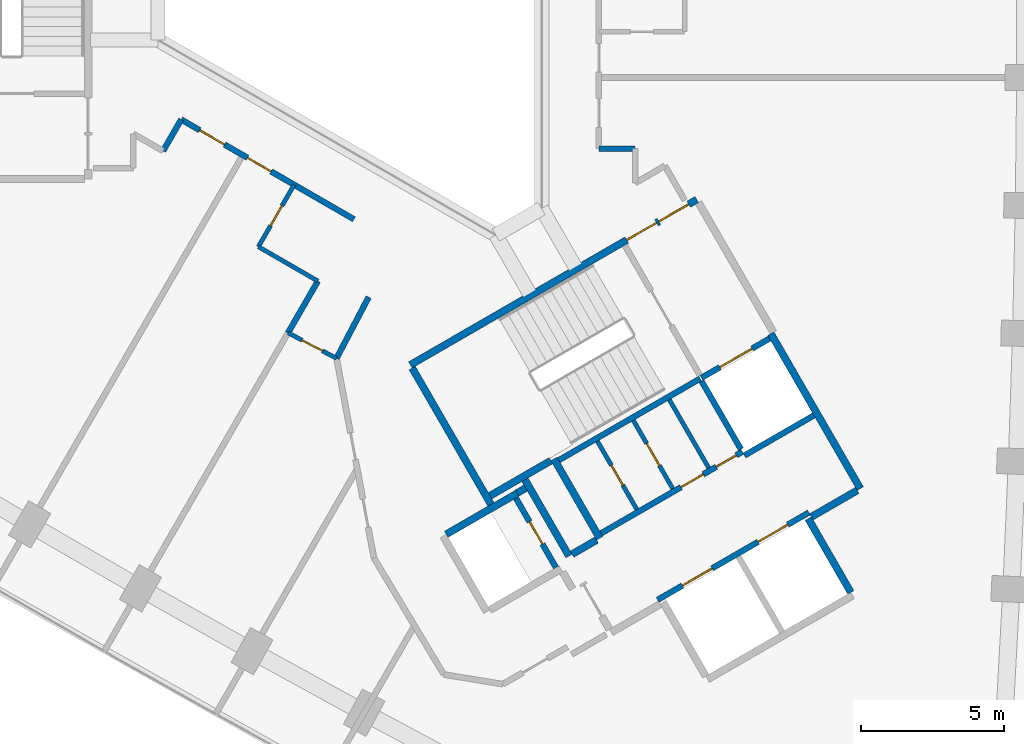
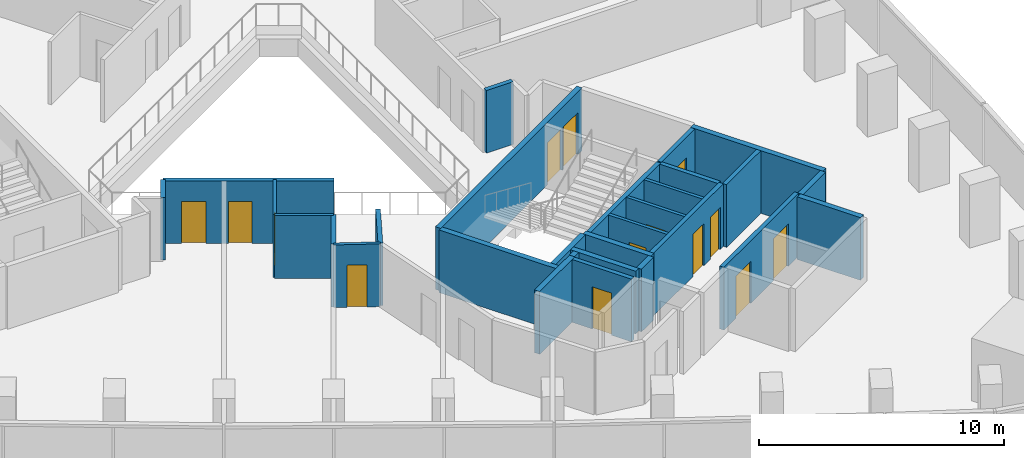
# One storey, part 9 of 13: 29 walls, 14 doors, 14 openings.
"""IFC4 building model written with IfcOpenShell, lengths in metres."""

from ifc_helpers import new_model, si_unit, direction, frame, frame_2d, origin, place, context, subcontext, project, spatial, rectangle, extrude, material, layer, layer_set, type_object, element, fill, save


model = new_model("IFC4")

# Units and contexts
model_context = context("Model", 3, precision=1e-05, world=origin(), true_north=direction((0.0, 1.0)))
body_context = subcontext(model_context, "Body", "Model", "MODEL_VIEW")
ifc_project = project(units=[si_unit("LENGTHUNIT", "METRE"), si_unit("AREAUNIT", "SQUARE_METRE"), si_unit("VOLUMEUNIT", "CUBIC_METRE"), si_unit("PLANEANGLEUNIT", "RADIAN"), si_unit("MASSUNIT", "GRAM", prefix="KILO")], contexts=[model_context])

# Site, building, storey
site_placement = place(None, origin())
site = spatial("IfcSite", under=ifc_project, at=site_placement, CompositionType="ELEMENT")
building_placement = place(site_placement, origin())
building = spatial("IfcBuilding", under=site, at=building_placement, Name="Tamra Quay Hotel Tower", CompositionType="ELEMENT")
storey_placement = place(building_placement, frame((0.0, 0.0, 49.39990234375)))
storey = spatial("IfcBuildingStorey", under=building, at=storey_placement, Name="L10", CompositionType="ELEMENT", Elevation=49.39990234375)

# Wall, openings, doors
ifc_material_1 = material(Name="Concrete M70", Category="concrete")
ifc_layer_1 = layer(ifc_material_1, 0.199951171875)
ifc_layer_set_1 = layer_set([ifc_layer_1], Name="Concrete M70 core wall 200")
wall_type_1 = type_object("IfcWallType", Name="Concrete M70 core wall 200", PredefinedType="SHEAR", material=ifc_layer_set_1)
wall_1_placement = place(storey_placement, frame((9.052490234375, -20.479736328125, 0.0), z_axis=(0.0, 0.0, 1.0), x_axis=(0.866030299012, 0.499991521122, 0.0)))
wall_1 = element("IfcWall", 1, at=wall_1_placement, inside=storey, type_object=wall_type_1, Name="CW2", PredefinedType="SHEAR", context=body_context, shape_type="SweptSolid", body=[
    extrude(rectangle(XDim=6.10009765625, YDim=0.199951171875, at=frame_2d((3.050048828125, 0.0))), origin(), (0.0, 0.0, 1.0), 3.125),
])
opening_1_placement = place(wall_1_placement, frame((1.0, 0.0, 0.0)))
opening_1 = element("IfcOpeningElement", 2, at=opening_1_placement, cuts=wall_1, Name="Opening LD", PredefinedType="OPENING", context=body_context, shape_type="SweptSolid", body=[
    extrude(rectangle(XDim=1.199951171875, YDim=2.10009765625, at=frame_2d((0.60009765625, 1.050048828125))), frame((0.0, 0.10986328125, 0.0), z_axis=(0.0, -1.0, 0.0), x_axis=(1.0, 0.0, 0.0)), (0.0, 0.0, 1.0), 0.219970703125),
])
opening_2_placement = place(wall_1_placement, frame((4.05029296875, 0.0, 0.0)))
opening_2 = element("IfcOpeningElement", 3, at=opening_2_placement, cuts=wall_1, Name="Opening LD", PredefinedType="OPENING", context=body_context, shape_type="SweptSolid", body=[
    extrude(rectangle(XDim=1.199951171875, YDim=2.10009765625, at=frame_2d((0.60009765625, 1.050048828125))), frame((0.0, 0.10986328125, 0.0), z_axis=(0.0, -1.0, 0.0), x_axis=(1.0, 0.0, 0.0)), (0.0, 0.0, 1.0), 0.219970703125),
])
ifc_material_2 = material(Name="Landing door LD 1200 double door sliding")
door_type_1 = type_object("IfcDoorType", Name="Landing door LD 1200 double door sliding", OperationType="DOUBLE_DOOR_SLIDING", PredefinedType="DOOR", material=ifc_material_2)
door_1_placement = place(opening_1_placement, origin())
door_1 = element("IfcDoor", 4, at=door_1_placement, inside=storey, type_object=door_type_1, Name="LD", OperationType="DOUBLE_DOOR_SLIDING", OverallHeight=2.10009765625, OverallWidth=1.199951171875, PredefinedType="DOOR", context=body_context, shape_type="SweptSolid", body=[
    extrude(rectangle(XDim=1.199951171875, YDim=2.10009765625, at=frame_2d((0.60009765625, 1.050048828125))), frame((0.0, 0.02490234375, 0.0), z_axis=(0.0, -1.0, 0.0), x_axis=(1.0, 0.0, 0.0)), (0.0, 0.0, 1.0), 0.050048828125),
])
fill(opening_1, door_1)
door_2_placement = place(opening_2_placement, origin())
door_2 = element("IfcDoor", 5, at=door_2_placement, inside=storey, type_object=door_type_1, Name="LD", OperationType="DOUBLE_DOOR_SLIDING", OverallHeight=2.10009765625, OverallWidth=1.199951171875, PredefinedType="DOOR", context=body_context, shape_type="SweptSolid", body=[
    extrude(rectangle(XDim=1.199951171875, YDim=2.10009765625, at=frame_2d((0.60009765625, 1.050048828125))), frame((0.0, 0.02490234375, 0.0), z_axis=(0.0, -1.0, 0.0), x_axis=(1.0, 0.0, 0.0)), (0.0, 0.0, 1.0), 0.050048828125),
])
fill(opening_2, door_2)

# Wall
wall_2_placement = place(storey_placement, frame((10.537841796875, -12.751953125, 0.0), z_axis=(0.0, 0.0, 1.0), x_axis=(-0.866038630372, -0.499977090179, 0.0)))
element("IfcWall", 6, at=wall_2_placement, inside=storey, type_object=wall_type_1, Name="CW2", PredefinedType="SHEAR", context=body_context, shape_type="SweptSolid", body=[
    extrude(rectangle(XDim=5.698974609375, YDim=0.199951171875, at=frame_2d((2.849609375, 0.0))), origin(), (0.0, 0.0, 1.0), 3.125),
])

# Wall, openings, doors
wall_3_placement = place(storey_placement, frame((7.0771484375, -18.156005859375, 0.0), z_axis=(0.0, 0.0, 1.0), x_axis=(0.866038630372, 0.499977090179, 0.0)))
wall_3 = element("IfcWall", 7, at=wall_3_placement, inside=storey, type_object=wall_type_1, Name="CW2", PredefinedType="SHEAR", context=body_context, shape_type="SweptSolid", body=[
    extrude(rectangle(XDim=5.698974609375, YDim=0.199951171875, at=frame_2d((2.849609375, 0.0))), origin(), (0.0, 0.0, 1.0), 3.125),
])
opening_3_placement = place(wall_3_placement, frame((3.22412109375, 0.0, 0.0)))
opening_3 = element("IfcOpeningElement", 8, at=opening_3_placement, cuts=wall_3, Name="Opening D2", PredefinedType="OPENING", context=body_context, shape_type="SweptSolid", body=[
    extrude(rectangle(XDim=0.89990234375, YDim=2.10009765625, at=frame_2d((0.449951171875, 1.050048828125))), frame((0.0, 0.10986328125, 0.0), z_axis=(0.0, -1.0, 0.0), x_axis=(1.0, 0.0, 0.0)), (0.0, 0.0, 1.0), 0.219970703125),
])
opening_4_placement = place(wall_3_placement, frame((4.64892578125, 0.0, 0.0)))
opening_4 = element("IfcOpeningElement", 9, at=opening_4_placement, cuts=wall_3, Name="Opening D3", PredefinedType="OPENING", context=body_context, shape_type="SweptSolid", body=[
    extrude(rectangle(XDim=0.800048828125, YDim=2.10009765625, at=frame_2d((0.39990234375, 1.050048828125))), frame((0.0, 0.10986328125, 0.0), z_axis=(0.0, -1.0, 0.0), x_axis=(1.0, 0.0, 0.0)), (0.0, 0.0, 1.0), 0.219970703125),
])
ifc_material_3 = material(Name="Core door D2 900x2100 RH")
door_type_2 = type_object("IfcDoorType", Name="Core door D2 900x2100 RH", OperationType="NOTDEFINED", PredefinedType="DOOR", material=ifc_material_3)
door_3_placement = place(opening_3_placement, origin())
door_3 = element("IfcDoor", 10, at=door_3_placement, inside=storey, type_object=door_type_2, Name="D2", OperationType="SINGLE_SWING_RIGHT", OverallHeight=2.10009765625, OverallWidth=0.89990234375, PredefinedType="DOOR", context=body_context, shape_type="SweptSolid", body=[
    extrude(rectangle(XDim=0.89990234375, YDim=2.10009765625, at=frame_2d((0.449951171875, 1.050048828125))), frame((0.0, 0.02490234375, 0.0), z_axis=(0.0, -1.0, 0.0), x_axis=(1.0, 0.0, 0.0)), (0.0, 0.0, 1.0), 0.050048828125),
])
fill(opening_3, door_3)
ifc_material_4 = material(Name="Core door D3 800x2100 LH")
door_type_3 = type_object("IfcDoorType", Name="Core door D3 800x2100 LH", OperationType="NOTDEFINED", PredefinedType="DOOR", material=ifc_material_4)
door_4_placement = place(opening_4_placement, origin())
door_4 = element("IfcDoor", 11, at=door_4_placement, inside=storey, type_object=door_type_3, Name="D3", OperationType="SINGLE_SWING_LEFT", OverallHeight=2.10009765625, OverallWidth=0.800048828125, PredefinedType="DOOR", context=body_context, shape_type="SweptSolid", body=[
    extrude(rectangle(XDim=0.800048828125, YDim=2.10009765625, at=frame_2d((0.39990234375, 1.050048828125))), frame((0.0, 0.02490234375, 0.0), z_axis=(0.0, -1.0, 0.0), x_axis=(1.0, 0.0, 0.0)), (0.0, 0.0, 1.0), 0.050048828125),
])
fill(opening_4, door_4)

# Wall, opening, door
wall_4_placement = place(storey_placement, frame((5.50341796875, -19.352294921875, 0.0), z_axis=(0.0, 0.0, 1.0), x_axis=(-0.499986818241, 0.866033014143, 0.0)))
wall_4 = element("IfcWall", 12, at=wall_4_placement, inside=storey, type_object=wall_type_1, Name="CW2", PredefinedType="SHEAR", context=body_context, shape_type="SweptSolid", body=[
    extrude(rectangle(XDim=2.7978515625, YDim=0.199951171875, at=frame_2d((1.39892578125, 0.0))), origin(), (0.0, 0.0, 1.0), 3.125),
])
opening_5_placement = place(wall_4_placement, frame((0.948974609375, 0.0, 0.0)))
opening_5 = element("IfcOpeningElement", 13, at=opening_5_placement, cuts=wall_4, Name="Opening D1", PredefinedType="OPENING", context=body_context, shape_type="SweptSolid", body=[
    extrude(rectangle(XDim=0.89990234375, YDim=2.10009765625, at=frame_2d((0.449951171875, 1.050048828125))), frame((0.0, 0.10986328125, 0.0), z_axis=(0.0, -1.0, 0.0), x_axis=(1.0, 0.0, 0.0)), (0.0, 0.0, 1.0), 0.219970703125),
])
ifc_material_5 = material(Name="Core door D1 900x2100 RH")
door_type_4 = type_object("IfcDoorType", Name="Core door D1 900x2100 RH", OperationType="NOTDEFINED", PredefinedType="DOOR", material=ifc_material_5)
door_5_placement = place(opening_5_placement, origin())
door_5 = element("IfcDoor", 14, at=door_5_placement, inside=storey, type_object=door_type_4, Name="D1", OperationType="SINGLE_SWING_RIGHT", OverallHeight=2.10009765625, OverallWidth=0.89990234375, PredefinedType="DOOR", context=body_context, shape_type="SweptSolid", body=[
    extrude(rectangle(XDim=0.89990234375, YDim=2.10009765625, at=frame_2d((0.449951171875, 1.050048828125))), frame((0.0, 0.02490234375, 0.0), z_axis=(0.0, -1.0, 0.0), x_axis=(1.0, 0.0, 0.0)), (0.0, 0.0, 1.0), 0.050048828125),
])
fill(opening_5, door_5)

# Wall
wall_5_placement = place(storey_placement, frame((11.962646484375, -15.219970703125, 0.0), z_axis=(0.0, 0.0, 1.0), x_axis=(-0.500034990121, 0.866005201286, 0.0)))
element("IfcWall", 15, at=wall_5_placement, inside=storey, type_object=wall_type_1, Name="CW2", PredefinedType="SHEAR", context=body_context, shape_type="SweptSolid", body=[
    extrude(rectangle(XDim=2.749755859375, YDim=0.199951171875, at=frame_2d((1.375, 0.0))), origin(), (0.0, 0.0, 1.0), 3.125),
])

# Wall, opening, door
wall_6_placement = place(storey_placement, frame((10.587158203125, -12.72314453125, 0.0), z_axis=(0.0, 0.0, 1.0), x_axis=(0.866037306777, 0.499979382845, 0.0)))
wall_6 = element("IfcWall", 16, at=wall_6_placement, inside=storey, type_object=wall_type_1, Name="CW2", PredefinedType="SHEAR", context=body_context, shape_type="SweptSolid", body=[
    extrude(rectangle(XDim=2.74169921875, YDim=0.199951171875, at=frame_2d((1.370849609375, 0.0))), origin(), (0.0, 0.0, 1.0), 3.125),
])
opening_6_placement = place(wall_6_placement, frame((0.742919921875, 0.0, 0.0)))
opening_6 = element("IfcOpeningElement", 17, at=opening_6_placement, cuts=wall_6, Name="Opening LD", PredefinedType="OPENING", context=body_context, shape_type="SweptSolid", body=[
    extrude(rectangle(XDim=1.300048828125, YDim=2.10009765625, at=frame_2d((0.64990234375, 1.050048828125))), frame((0.0, 0.10986328125, 0.0), z_axis=(0.0, -1.0, 0.0), x_axis=(1.0, 0.0, 0.0)), (0.0, 0.0, 1.0), 0.219970703125),
])
ifc_material_6 = material(Name="Landing door LD 1300 sliding to left")
door_type_5 = type_object("IfcDoorType", Name="Landing door LD 1300 sliding to left", OperationType="NOTDEFINED", PredefinedType="DOOR", material=ifc_material_6)
door_6_placement = place(opening_6_placement, origin())
door_6 = element("IfcDoor", 18, at=door_6_placement, inside=storey, type_object=door_type_5, Name="LD", OperationType="SLIDING_TO_LEFT", OverallHeight=2.10009765625, OverallWidth=1.300048828125, PredefinedType="DOOR", context=body_context, shape_type="SweptSolid", body=[
    extrude(rectangle(XDim=1.300048828125, YDim=2.10009765625, at=frame_2d((0.64990234375, 1.050048828125))), frame((0.0, 0.02490234375, 0.0), z_axis=(0.0, -1.0, 0.0), x_axis=(1.0, 0.0, 0.0)), (0.0, 0.0, 1.0), 0.050048828125),
])
fill(opening_6, door_6)

# Wall
wall_7_placement = place(storey_placement, frame((14.51171875, -14.037109375, 0.0), z_axis=(0.0, 0.0, 1.0), x_axis=(-0.866044696403, -0.499966582715, 0.0)))
element("IfcWall", 19, at=wall_7_placement, inside=storey, type_object=wall_type_1, Name="CW2", PredefinedType="SHEAR", context=body_context, shape_type="SweptSolid", body=[
    extrude(rectangle(XDim=2.799072265625, YDim=0.199951171875, at=frame_2d((1.3994140625, 0.0))), origin(), (0.0, 0.0, 1.0), 3.125),
])

# Wall, openings, doors
ifc_layer_2 = layer(ifc_material_1, 0.25)
ifc_layer_set_2 = layer_set([ifc_layer_2], Name="Concrete M70 core wall 250")
wall_type_2 = type_object("IfcWallType", Name="Concrete M70 core wall 250", PredefinedType="SHEAR", material=ifc_layer_set_2)
wall_8_placement = place(storey_placement, frame((0.417236328125, -12.27294921875, 0.0), z_axis=(0.0, 0.0, 1.0), x_axis=(0.866021906294, 0.500006057782, 0.0)))
wall_8 = element("IfcWall", 20, at=wall_8_placement, inside=storey, type_object=wall_type_2, Name="CW1", PredefinedType="SHEAR", context=body_context, shape_type="SweptSolid", body=[
    extrude(rectangle(XDim=11.550048828125, YDim=0.25, at=frame_2d((5.77490234375, 0.0))), origin(), (0.0, 0.0, 1.0), 3.125),
])
opening_7_placement = place(wall_8_placement, frame((10.024658203125, 0.0, 0.0)))
opening_7 = element("IfcOpeningElement", 21, at=opening_7_placement, cuts=wall_8, Name="Opening FD1", PredefinedType="OPENING", context=body_context, shape_type="SweptSolid", body=[
    extrude(rectangle(XDim=1.199951171875, YDim=2.10009765625, at=frame_2d((0.60009765625, 1.050048828125))), frame((0.0, 0.135009765625, 0.0), z_axis=(0.0, -1.0, 0.0), x_axis=(1.0, 0.0, 0.0)), (0.0, 0.0, 1.0), 0.27001953125),
])
opening_8_placement = place(wall_8_placement, frame((8.724609375, 0.0, 0.0)))
opening_8 = element("IfcOpeningElement", 22, at=opening_8_placement, cuts=wall_8, Name="Opening FD1", PredefinedType="OPENING", context=body_context, shape_type="SweptSolid", body=[
    extrude(rectangle(XDim=1.199951171875, YDim=2.10009765625, at=frame_2d((0.60009765625, 1.050048828125))), frame((0.0, 0.135009765625, 0.0), z_axis=(0.0, -1.0, 0.0), x_axis=(1.0, 0.0, 0.0)), (0.0, 0.0, 1.0), 0.27001953125),
])
ifc_material_7 = material(Name="Core door FD1 1200x2100 LH")
door_type_6 = type_object("IfcDoorType", Name="Core door FD1 1200x2100 LH", OperationType="NOTDEFINED", PredefinedType="DOOR", material=ifc_material_7)
door_7_placement = place(opening_7_placement, origin())
door_7 = element("IfcDoor", 23, at=door_7_placement, inside=storey, type_object=door_type_6, Name="FD1", OperationType="SINGLE_SWING_LEFT", OverallHeight=2.10009765625, OverallWidth=1.199951171875, PredefinedType="DOOR", context=body_context, shape_type="SweptSolid", body=[
    extrude(rectangle(XDim=1.199951171875, YDim=2.10009765625, at=frame_2d((0.60009765625, 1.050048828125))), frame((0.0, 0.02490234375, 0.0), z_axis=(0.0, -1.0, 0.0), x_axis=(1.0, 0.0, 0.0)), (0.0, 0.0, 1.0), 0.050048828125),
])
fill(opening_7, door_7)
ifc_material_8 = material(Name="Core door FD1 1200x2100 RH")
door_type_7 = type_object("IfcDoorType", Name="Core door FD1 1200x2100 RH", OperationType="NOTDEFINED", PredefinedType="DOOR", material=ifc_material_8)
door_8_placement = place(opening_8_placement, origin())
door_8 = element("IfcDoor", 24, at=door_8_placement, inside=storey, type_object=door_type_7, Name="FD1", OperationType="SINGLE_SWING_RIGHT", OverallHeight=2.10009765625, OverallWidth=1.199951171875, PredefinedType="DOOR", context=body_context, shape_type="SweptSolid", body=[
    extrude(rectangle(XDim=1.199951171875, YDim=2.10009765625, at=frame_2d((0.60009765625, 1.050048828125))), frame((0.0, 0.02490234375, 0.0), z_axis=(0.0, -1.0, 0.0), x_axis=(1.0, 0.0, 0.0)), (0.0, 0.0, 1.0), 0.050048828125),
])
fill(opening_8, door_8)

# Walls
wall_9_placement = place(storey_placement, frame((13.00830078125, -11.18115234375, 0.0), z_axis=(0.0, 0.0, 1.0), x_axis=(0.500004234368, -0.866022959057, 0.0)))
element("IfcWall", 25, at=wall_9_placement, inside=storey, type_object=wall_type_2, Name="CW1", PredefinedType="SHEAR", context=body_context, shape_type="SweptSolid", body=[
    extrude(rectangle(XDim=6.25, YDim=0.25, at=frame_2d((3.125, 0.0))), origin(), (0.0, 0.0, 1.0), 3.125),
])
wall_10_placement = place(storey_placement, frame((3.23486328125, -17.15283203125, 0.0), z_axis=(0.0, 0.0, 1.0), x_axis=(-0.500008851346, 0.866020293397, 0.0)))
element("IfcWall", 26, at=wall_10_placement, inside=storey, type_object=wall_type_2, Name="CW1", PredefinedType="SHEAR", context=body_context, shape_type="SweptSolid", body=[
    extrude(rectangle(XDim=5.509765625, YDim=0.25, at=frame_2d((2.7548828125, 0.0))), origin(), (0.0, 0.0, 1.0), 3.125),
])
wall_11_placement = place(storey_placement, frame((7.030517578125, -18.327392578125, 0.0), z_axis=(0.0, 0.0, 1.0), x_axis=(-0.499971222258, 0.866042017984, 0.0)))
element("IfcWall", 27, at=wall_11_placement, inside=storey, type_object=wall_type_2, Name="CW1", PredefinedType="SHEAR", context=body_context, shape_type="SweptSolid", body=[
    extrude(rectangle(XDim=3.199951171875, YDim=0.25, at=frame_2d((1.60009765625, 0.0))), origin(), (0.0, 0.0, 1.0), 3.125),
])
wall_12_placement = place(storey_placement, frame((14.314697265625, -17.643798828125, 0.0), z_axis=(0.0, 0.0, 1.0), x_axis=(0.500023226632, -0.866011993467, 0.0)))
element("IfcWall", 28, at=wall_12_placement, inside=storey, type_object=wall_type_2, Name="CW1", PredefinedType="SHEAR", context=body_context, shape_type="SweptSolid", body=[
    extrude(rectangle(XDim=2.974365234375, YDim=0.25, at=frame_2d((1.4873046875, 0.0))), origin(), (0.0, 0.0, 1.0), 3.125),
])
wall_13_placement = place(storey_placement, frame((1.6689453125, -18.189697265625, 0.0), z_axis=(0.0, 0.0, 1.0), x_axis=(0.866042235819, 0.499970844928, 0.0)))
element("IfcWall", 29, at=wall_13_placement, inside=storey, type_object=wall_type_2, Name="CW1", PredefinedType="SHEAR", context=body_context, shape_type="SweptSolid", body=[
    extrude(rectangle(XDim=2.864501953125, YDim=0.25, at=frame_2d((1.43212890625, 0.0))), origin(), (0.0, 0.0, 1.0), 3.125),
])
wall_14_placement = place(storey_placement, frame((4.414306640625, -16.275634765625, 0.0), z_axis=(0.0, 0.0, 1.0), x_axis=(0.500003324108, -0.866023484601, 0.0)))
element("IfcWall", 30, at=wall_14_placement, inside=storey, type_object=wall_type_2, Name="CW1", PredefinedType="SHEAR", context=body_context, shape_type="SweptSolid", body=[
    extrude(rectangle(XDim=3.0849609375, YDim=0.25, at=frame_2d((1.54248046875, 0.0))), origin(), (0.0, 0.0, 1.0), 3.125),
])
wall_15_placement = place(storey_placement, frame((5.322021484375, -15.618896484375, 0.0), z_axis=(0.0, 0.0, 1.0), x_axis=(-0.866026229868, -0.499998569178, 0.0)))
element("IfcWall", 31, at=wall_15_placement, inside=storey, type_object=wall_type_2, Name="CW1", PredefinedType="SHEAR", context=body_context, shape_type="SweptSolid", body=[
    extrude(rectangle(XDim=2.44921875, YDim=0.25, at=frame_2d((1.224609375, 0.0))), origin(), (0.0, 0.0, 1.0), 3.125),
])
wall_16_placement = place(storey_placement, frame((16.024658203125, -16.656494140625, 0.0), z_axis=(0.0, 0.0, 1.0), x_axis=(-0.866016279763, -0.500015802937, 0.0)))
element("IfcWall", 32, at=wall_16_placement, inside=storey, type_object=wall_type_2, Name="CW1", PredefinedType="SHEAR", context=body_context, shape_type="SweptSolid", body=[
    extrude(rectangle(XDim=1.84912109375, YDim=0.25, at=frame_2d((0.924560546875, 0.0))), origin(), (0.0, 0.0, 1.0), 3.125),
])
wall_17_placement = place(storey_placement, frame((6.0654296875, -18.884765625, 0.0), z_axis=(0.0, 0.0, 1.0), x_axis=(0.866017078145, 0.500014420154, 0.0)))
element("IfcWall", 33, at=wall_17_placement, inside=storey, type_object=wall_type_2, Name="CW1", PredefinedType="SHEAR", context=body_context, shape_type="SweptSolid", body=[
    extrude(rectangle(XDim=0.9892578125, YDim=0.25, at=frame_2d((0.49462890625, 0.0))), origin(), (0.0, 0.0, 1.0), 3.125),
])
wall_18_placement = place(storey_placement, frame((4.144775390625, -16.748779296875, 0.0), z_axis=(0.0, 0.0, 1.0), x_axis=(0.866185586049, 0.49972245349, 0.0)))
element("IfcWall", 34, at=wall_18_placement, inside=storey, type_object=wall_type_2, Name="CW1", PredefinedType="SHEAR", context=body_context, shape_type="SweptSolid", body=[
    extrude(rectangle(XDim=0.344482421875, YDim=0.25, at=frame_2d((0.17236328125, 0.0))), origin(), (0.0, 0.0, 1.0), 3.125),
])

# Wall, opening, door
ifc_material_9 = material(Name="Blockwork", Category="masonry")
ifc_layer_3 = layer(ifc_material_9, 0.14990234375)
ifc_layer_set_3 = layer_set([ifc_layer_3], Name="Core partition block 150")
wall_type_3 = type_object("IfcWallType", Name="Core partition block 150", PredefinedType="PARTITIONING", material=ifc_layer_set_3)
wall_19_placement = place(storey_placement, frame((8.20654296875, -14.214111328125, 0.0), z_axis=(0.0, 0.0, 1.0), x_axis=(0.50002746344, -0.86600954718, 0.0)))
wall_19 = element("IfcWall", 35, at=wall_19_placement, inside=storey, type_object=wall_type_3, Name="CP1", PredefinedType="PARTITIONING", context=body_context, shape_type="SweptSolid", body=[
    extrude(rectangle(XDim=2.748291015625, YDim=0.14990234375, at=frame_2d((1.3740234375, 0.0))), origin(), (0.0, 0.0, 1.0), 3.125),
])
opening_9_placement = place(wall_19_placement, frame((0.92431640625, 0.0, 0.0)))
opening_9 = element("IfcOpeningElement", 36, at=opening_9_placement, cuts=wall_19, Name="Opening D2", PredefinedType="OPENING", context=body_context, shape_type="SweptSolid", body=[
    extrude(rectangle(XDim=0.89990234375, YDim=2.10009765625, at=frame_2d((0.449951171875, 1.050048828125))), frame((0.0, 0.0849609375, 0.0), z_axis=(0.0, -1.0, 0.0), x_axis=(1.0, 0.0, 0.0)), (0.0, 0.0, 1.0), 0.169921875),
])
ifc_material_10 = material(Name="Core door D2 900x2100 LH")
door_type_8 = type_object("IfcDoorType", Name="Core door D2 900x2100 LH", OperationType="NOTDEFINED", PredefinedType="DOOR", material=ifc_material_10)
door_9_placement = place(opening_9_placement, origin())
door_9 = element("IfcDoor", 37, at=door_9_placement, inside=storey, type_object=door_type_8, Name="D2", OperationType="SINGLE_SWING_LEFT", OverallHeight=2.10009765625, OverallWidth=0.89990234375, PredefinedType="DOOR", context=body_context, shape_type="SweptSolid", body=[
    extrude(rectangle(XDim=0.89990234375, YDim=2.10009765625, at=frame_2d((0.449951171875, 1.050048828125))), frame((0.0, 0.02490234375, 0.0), z_axis=(0.0, -1.0, 0.0), x_axis=(1.0, 0.0, 0.0)), (0.0, 0.0, 1.0), 0.050048828125),
])
fill(opening_9, door_9)

# Wall
wall_20_placement = place(storey_placement, frame((9.46240234375, -13.489013671875, 0.0), z_axis=(0.0, 0.0, 1.0), x_axis=(0.499988999718, -0.866031754707, 0.0)))
element("IfcWall", 38, at=wall_20_placement, inside=storey, type_object=wall_type_3, Name="CP1", PredefinedType="PARTITIONING", context=body_context, shape_type="SweptSolid", body=[
    extrude(rectangle(XDim=2.74853515625, YDim=0.14990234375, at=frame_2d((1.374267578125, 0.0))), origin(), (0.0, 0.0, 1.0), 3.125),
])

# Wall, opening, door
wall_21_placement = place(storey_placement, frame((6.950927734375, -14.93896484375, 0.0), z_axis=(0.0, 0.0, 1.0), x_axis=(0.499988999718, -0.866031754707, 0.0)))
wall_21 = element("IfcWall", 39, at=wall_21_placement, inside=storey, type_object=wall_type_3, Name="CP1", PredefinedType="PARTITIONING", context=body_context, shape_type="SweptSolid", body=[
    extrude(rectangle(XDim=2.74853515625, YDim=0.14990234375, at=frame_2d((1.374267578125, 0.0))), origin(), (0.0, 0.0, 1.0), 3.125),
])
opening_10_placement = place(wall_21_placement, frame((0.97412109375, 0.0, 0.0)))
opening_10 = element("IfcOpeningElement", 40, at=opening_10_placement, cuts=wall_21, Name="Opening D3", PredefinedType="OPENING", context=body_context, shape_type="SweptSolid", body=[
    extrude(rectangle(XDim=0.800048828125, YDim=2.10009765625, at=frame_2d((0.39990234375, 1.050048828125))), frame((0.0, 0.0849609375, 0.0), z_axis=(0.0, -1.0, 0.0), x_axis=(1.0, 0.0, 0.0)), (0.0, 0.0, 1.0), 0.169921875),
])
ifc_material_11 = material(Name="Core door D3 800x2100 RH")
door_type_9 = type_object("IfcDoorType", Name="Core door D3 800x2100 RH", OperationType="NOTDEFINED", PredefinedType="DOOR", material=ifc_material_11)
door_10_placement = place(opening_10_placement, origin())
door_10 = element("IfcDoor", 41, at=door_10_placement, inside=storey, type_object=door_type_9, Name="D3", OperationType="SINGLE_SWING_RIGHT", OverallHeight=2.10009765625, OverallWidth=0.800048828125, PredefinedType="DOOR", context=body_context, shape_type="SweptSolid", body=[
    extrude(rectangle(XDim=0.800048828125, YDim=2.10009765625, at=frame_2d((0.39990234375, 1.050048828125))), frame((0.0, 0.02490234375, 0.0), z_axis=(0.0, -1.0, 0.0), x_axis=(1.0, 0.0, 0.0)), (0.0, 0.0, 1.0), 0.050048828125),
])
fill(opening_10, door_10)

# Wall
ifc_material_12 = material(Name="Partition corridor wall")
ifc_layer_4 = layer(ifc_material_12, 0.199951171875)
ifc_layer_set_4 = layer_set([ifc_layer_4], Name="Partition corridor wall")
wall_type_4 = type_object("IfcWallType", Name="Partition corridor wall", PredefinedType="PARTITIONING", material=ifc_layer_set_4)
wall_22_placement = place(storey_placement, frame((-8.222900390625, -4.800048828125, 0.0), z_axis=(0.0, 0.0, 1.0), x_axis=(0.499866914522, 0.866102227088, 0.0)))
element("IfcWall", 42, at=wall_22_placement, inside=storey, type_object=wall_type_4, Name="W-C", PredefinedType="PARTITIONING", context=body_context, shape_type="SweptSolid", body=[
    extrude(rectangle(XDim=1.267822265625, YDim=0.199951171875, at=frame_2d((0.6337890625, 0.0))), origin(), (0.0, 0.0, 1.0), 3.125),
])

# Wall, openings, doors
wall_23_placement = place(storey_placement, frame((-7.589111328125, -3.701904296875, 0.0), z_axis=(0.0, 0.0, 1.0), x_axis=(0.865994210678, -0.500054024153, 0.0)))
wall_23 = element("IfcWall", 43, at=wall_23_placement, inside=storey, type_object=wall_type_4, Name="W-C", PredefinedType="PARTITIONING", context=body_context, shape_type="SweptSolid", body=[
    extrude(rectangle(XDim=6.968505859375, YDim=0.199951171875, at=frame_2d((3.484375, 0.0))), origin(), (0.0, 0.0, 1.0), 3.125),
])
opening_11_placement = place(wall_23_placement, frame((0.748779296875, 0.0, 0.0)))
opening_11 = element("IfcOpeningElement", 44, at=opening_11_placement, cuts=wall_23, Name="Opening L10-D012", PredefinedType="OPENING", context=body_context, shape_type="SweptSolid", body=[
    extrude(rectangle(XDim=1.0, YDim=2.10009765625, at=frame_2d((0.5, 1.050048828125))), frame((0.0, 0.10986328125, 0.0), z_axis=(0.0, -1.0, 0.0), x_axis=(1.0, 0.0, 0.0)), (0.0, 0.0, 1.0), 0.219970703125),
])
opening_12_placement = place(wall_23_placement, frame((2.67431640625, 0.0, 0.0)))
opening_12 = element("IfcOpeningElement", 45, at=opening_12_placement, cuts=wall_23, Name="Opening L10-D013", PredefinedType="OPENING", context=body_context, shape_type="SweptSolid", body=[
    extrude(rectangle(XDim=0.949951171875, YDim=2.10009765625, at=frame_2d((0.47509765625, 1.050048828125))), frame((0.0, 0.10986328125, 0.0), z_axis=(0.0, -1.0, 0.0), x_axis=(1.0, 0.0, 0.0)), (0.0, 0.0, 1.0), 0.219970703125),
])
ifc_material_13 = material(Name="Door guest room 1000x2100")
door_type_10 = type_object("IfcDoorType", Name="Door guest room 1000x2100", OperationType="NOTDEFINED", PredefinedType="DOOR", material=ifc_material_13)
door_11_placement = place(opening_11_placement, frame((1.0, 0.0, 0.0), z_axis=(0.0, 0.0, 1.0), x_axis=(-1.0, 0.0, 0.0)))
door_11 = element("IfcDoor", 46, at=door_11_placement, inside=storey, type_object=door_type_10, Name="L10-D012", OperationType="SINGLE_SWING_LEFT", OverallHeight=2.10009765625, OverallWidth=1.0, PredefinedType="DOOR", context=body_context, shape_type="SweptSolid", body=[
    extrude(rectangle(XDim=1.0, YDim=2.10009765625, at=frame_2d((0.5, 1.050048828125))), frame((0.0, 0.02490234375, 0.0), z_axis=(0.0, -1.0, 0.0), x_axis=(1.0, 0.0, 0.0)), (0.0, 0.0, 1.0), 0.050048828125),
])
fill(opening_11, door_11)
ifc_material_14 = material(Name="Door guest room 950x2100")
door_type_11 = type_object("IfcDoorType", Name="Door guest room 950x2100", OperationType="NOTDEFINED", PredefinedType="DOOR", material=ifc_material_14)
door_12_placement = place(opening_12_placement, frame((0.949951171875, 0.0, 0.0), z_axis=(0.0, 0.0, 1.0), x_axis=(-1.0, 0.0, 0.0)))
door_12 = element("IfcDoor", 47, at=door_12_placement, inside=storey, type_object=door_type_11, Name="L10-D013", OperationType="SINGLE_SWING_LEFT", OverallHeight=2.10009765625, OverallWidth=0.949951171875, PredefinedType="DOOR", context=body_context, shape_type="SweptSolid", body=[
    extrude(rectangle(XDim=0.949951171875, YDim=2.10009765625, at=frame_2d((0.47509765625, 1.050048828125))), frame((0.0, 0.02490234375, 0.0), z_axis=(0.0, -1.0, 0.0), x_axis=(1.0, 0.0, 0.0)), (0.0, 0.0, 1.0), 0.050048828125),
])
fill(opening_12, door_12)

# Walls
wall_24_placement = place(storey_placement, frame((-2.162109375, -12.041015625, 0.0), z_axis=(0.0, 0.0, 1.0), x_axis=(0.464903343334, 0.885361441083, 0.0)))
element("IfcWall", 48, at=wall_24_placement, inside=storey, type_object=wall_type_4, Name="W-C", PredefinedType="PARTITIONING", context=body_context, shape_type="SweptSolid", body=[
    extrude(rectangle(XDim=2.411376953125, YDim=0.199951171875, at=frame_2d((1.20556640625, 0.0))), origin(), (0.0, 0.0, 1.0), 3.125),
])
wall_25_placement = place(storey_placement, frame((7.0, -4.720947265625, 0.0), z_axis=(0.0, 0.0, 1.0), x_axis=(1.0, 0.0, 0.0)))
element("IfcWall", 49, at=wall_25_placement, inside=storey, type_object=wall_type_4, Name="W-C", PredefinedType="PARTITIONING", context=body_context, shape_type="SweptSolid", body=[
    extrude(rectangle(XDim=1.26806640625, YDim=0.199951171875, at=frame_2d((0.634033203125, 0.0))), origin(), (0.0, 0.0, 1.0), 3.125),
])

# Wall, opening, door
ifc_material_15 = material(Name="Partition en-suite wall")
ifc_layer_5 = layer(ifc_material_15, 0.14990234375)
ifc_layer_set_5 = layer_set([ifc_layer_5], Name="Partition en-suite wall")
wall_type_5 = type_object("IfcWallType", Name="Partition en-suite wall", PredefinedType="PARTITIONING", material=ifc_layer_set_5)
wall_26_placement = place(storey_placement, frame((-4.89208984375, -8.14501953125, 0.0), z_axis=(0.0, 0.0, 1.0), x_axis=(0.499711178953, 0.866192090491, 0.0)))
wall_26 = element("IfcWall", 50, at=wall_26_placement, inside=storey, type_object=wall_type_5, Name="W-E", PredefinedType="PARTITIONING", context=body_context, shape_type="SweptSolid", body=[
    extrude(rectangle(XDim=2.49951171875, YDim=0.14990234375, at=frame_2d((1.249755859375, 0.0))), origin(), (0.0, 0.0, 1.0), 3.125),
])
opening_13_placement = place(wall_26_placement, frame((0.849609375, 0.0, 0.0)))
opening_13 = element("IfcOpeningElement", 51, at=opening_13_placement, cuts=wall_26, Name="Opening L10-D014", PredefinedType="OPENING", context=body_context, shape_type="SweptSolid", body=[
    extrude(rectangle(XDim=0.800048828125, YDim=2.10009765625, at=frame_2d((0.39990234375, 1.050048828125))), frame((0.0, 0.0849609375, 0.0), z_axis=(0.0, -1.0, 0.0), x_axis=(1.0, 0.0, 0.0)), (0.0, 0.0, 1.0), 0.169921875),
])
ifc_material_16 = material(Name="Door en-suite 800x2100")
door_type_12 = type_object("IfcDoorType", Name="Door en-suite 800x2100", OperationType="NOTDEFINED", PredefinedType="DOOR", material=ifc_material_16)
door_13_placement = place(opening_13_placement, frame((0.800048828125, 0.0, 0.0), z_axis=(0.0, 0.0, 1.0), x_axis=(-1.0, 0.0, 0.0)))
door_13 = element("IfcDoor", 52, at=door_13_placement, inside=storey, type_object=door_type_12, Name="L10-D014", OperationType="SINGLE_SWING_LEFT", OverallHeight=2.10009765625, OverallWidth=0.800048828125, PredefinedType="DOOR", context=body_context, shape_type="SweptSolid", body=[
    extrude(rectangle(XDim=0.800048828125, YDim=2.10009765625, at=frame_2d((0.39990234375, 1.050048828125))), frame((0.0, 0.02490234375, 0.0), z_axis=(0.0, -1.0, 0.0), x_axis=(1.0, 0.0, 0.0)), (0.0, 0.0, 1.0), 0.050048828125),
])
fill(opening_13, door_13)

# Wall
wall_27_placement = place(storey_placement, frame((-4.89208984375, -8.14501953125, 0.0), z_axis=(0.0, 0.0, 1.0), x_axis=(0.865999212041, -0.500045362686, 0.0)))
element("IfcWall", 53, at=wall_27_placement, inside=storey, type_object=wall_type_5, Name="W-E", PredefinedType="PARTITIONING", context=body_context, shape_type="SweptSolid", body=[
    extrude(rectangle(XDim=2.399658203125, YDim=0.14990234375, at=frame_2d((1.19970703125, 0.0))), origin(), (0.0, 0.0, 1.0), 3.125),
])

# Wall, opening, door
wall_28_placement = place(storey_placement, frame((-3.85693359375, -11.152099609375, 0.0), z_axis=(0.0, 0.0, 1.0), x_axis=(0.885374281086, -0.464878890026, 0.0)))
wall_28 = element("IfcWall", 54, at=wall_28_placement, inside=storey, type_object=wall_type_5, Name="W-E", PredefinedType="PARTITIONING", context=body_context, shape_type="SweptSolid", body=[
    extrude(rectangle(XDim=1.914306640625, YDim=0.14990234375, at=frame_2d((0.95703125, 0.0))), origin(), (0.0, 0.0, 1.0), 3.125),
])
opening_14_placement = place(wall_28_placement, frame((0.55712890625, 0.0, 0.0)))
opening_14 = element("IfcOpeningElement", 55, at=opening_14_placement, cuts=wall_28, Name="Opening L10-D016", PredefinedType="OPENING", context=body_context, shape_type="SweptSolid", body=[
    extrude(rectangle(XDim=0.800048828125, YDim=2.10009765625, at=frame_2d((0.39990234375, 1.050048828125))), frame((0.0, 0.0849609375, 0.0), z_axis=(0.0, -1.0, 0.0), x_axis=(1.0, 0.0, 0.0)), (0.0, 0.0, 1.0), 0.169921875),
])
door_14_placement = place(opening_14_placement, frame((0.800048828125, 0.0, 0.0), z_axis=(0.0, 0.0, 1.0), x_axis=(-1.0, 0.0, 0.0)))
door_14 = element("IfcDoor", 56, at=door_14_placement, inside=storey, type_object=door_type_12, Name="L10-D016", OperationType="SINGLE_SWING_LEFT", OverallHeight=2.10009765625, OverallWidth=0.800048828125, PredefinedType="DOOR", context=body_context, shape_type="SweptSolid", body=[
    extrude(rectangle(XDim=0.800048828125, YDim=2.10009765625, at=frame_2d((0.39990234375, 1.050048828125))), frame((0.0, 0.02490234375, 0.0), z_axis=(0.0, -1.0, 0.0), x_axis=(1.0, 0.0, 0.0)), (0.0, 0.0, 1.0), 0.050048828125),
])
fill(opening_14, door_14)

# Wall
ifc_material_17 = material(Name="Partition party wall")
ifc_layer_6 = layer(ifc_material_17, 0.199951171875)
ifc_layer_set_6 = layer_set([ifc_layer_6], Name="Partition party wall")
wall_type_6 = type_object("IfcWallType", Name="Partition party wall", PredefinedType="PARTITIONING", material=ifc_layer_set_6)
wall_29_placement = place(storey_placement, frame((-3.863037109375, -11.1630859375, 0.0), z_axis=(0.0, 0.0, 1.0), x_axis=(0.499779509621, 0.866152666545, 0.0)))
element("IfcWall", 57, at=wall_29_placement, inside=storey, type_object=wall_type_6, Name="W-P", PredefinedType="PARTITIONING", context=body_context, shape_type="SweptSolid", body=[
    extrude(rectangle(XDim=2.09912109375, YDim=0.199951171875, at=frame_2d((1.049560546875, 0.0))), origin(), (0.0, 0.0, 1.0), 3.125),
])

save(model, "model.ifc")
